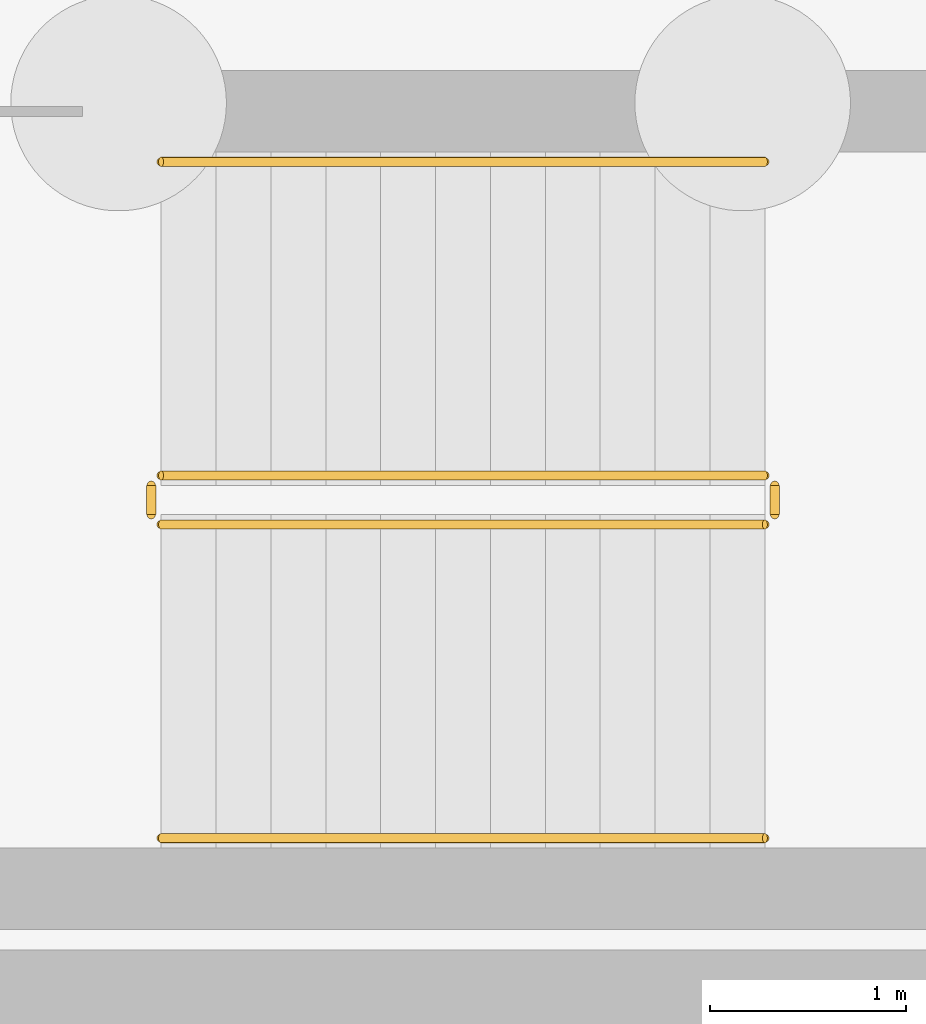
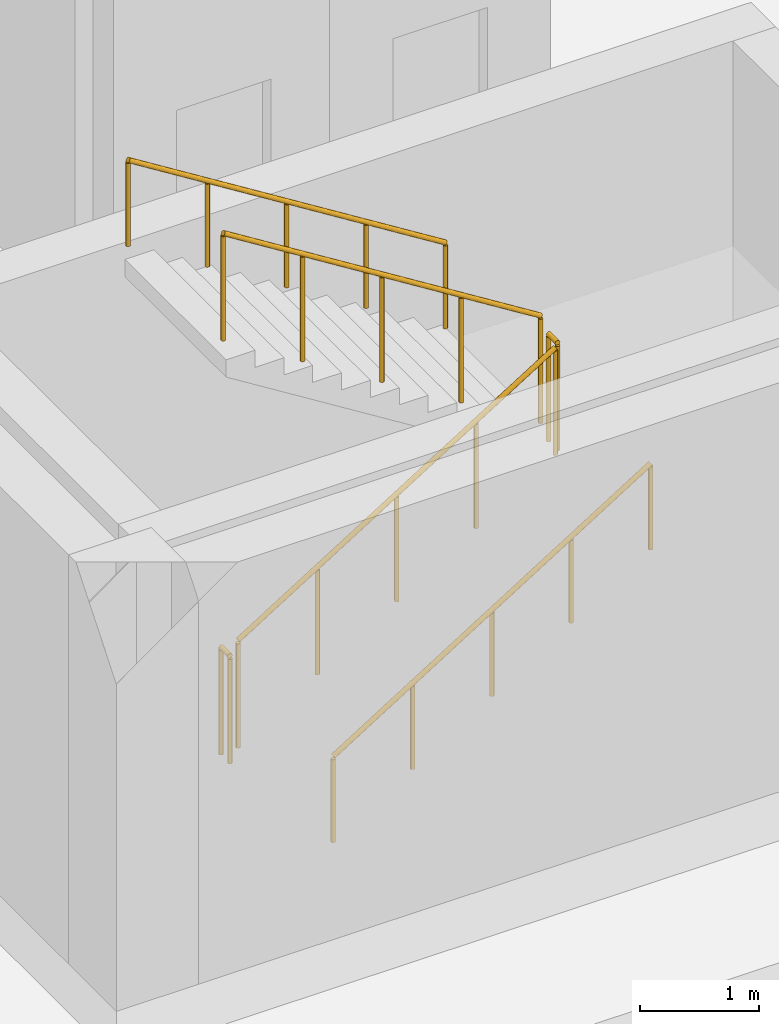
# One storey, part 26 of 31: 6 railings.
"""IFC4 building model written with IfcOpenShell, lengths in metres."""

from ifc_helpers import new_model, si_unit, direction, frame, origin, origin_2d, place, context, subcontext, project, spatial, circle, extrude, material, type_object, element, save


model = new_model("IFC4")

# Units and contexts
model_context = context("Model", 3, precision=1e-05, world=origin(), true_north=direction((0.0, 1.0)))
body_context = subcontext(model_context, "Body", "Model", "MODEL_VIEW")
ifc_project = project(units=[si_unit("LENGTHUNIT", "METRE"), si_unit("AREAUNIT", "SQUARE_METRE"), si_unit("VOLUMEUNIT", "CUBIC_METRE"), si_unit("PLANEANGLEUNIT", "RADIAN"), si_unit("MASSUNIT", "GRAM", prefix="KILO")], contexts=[model_context])

# Site, building, storey
site_placement = place(None, origin())
site = spatial("IfcSite", under=ifc_project, at=site_placement, CompositionType="ELEMENT")
building_placement = place(site_placement, origin())
building = spatial("IfcBuilding", under=site, at=building_placement, Name="Qalavern Law Courts", CompositionType="ELEMENT")
storey_placement = place(building_placement, frame((0.0, 0.0, -8.39990234375)))
storey = spatial("IfcBuildingStorey", under=building, at=storey_placement, Name="B2", CompositionType="ELEMENT", Elevation=-8.39990234375)

# Railings
ifc_material = material(Name="Steel S355", Category="steel")
railing_type_1 = type_object("IfcRailingType", Name="INT-GUARD-1120", PredefinedType="BALUSTRADE", material=ifc_material)
railing_1_placement = place(storey_placement, frame((4.699951171875, 43.64990234375, 0.1748046875)))
element("IfcRailing", 1, at=railing_1_placement, inside=storey, type_object=railing_type_1, Name="B2 ST-K2 stair guard 1", PredefinedType="BALUSTRADE", context=body_context, shape_type="SweptSolid", body=[
    extrude(circle(Radius=0.02392578125, at=origin_2d()), frame((0.0, 0.0, 1.09619140625), z_axis=(0.847998304005, 0.0, 0.529998940003), x_axis=(0.0, 1.0, 0.0)), (0.0, 0.0, 1.0), 3.632080078125),
    extrude(circle(Radius=0.02099609375, at=origin_2d()), origin(), (0.0, 0.0, 1.0), 1.072021484375),
    extrude(circle(Radius=0.02099609375, at=origin_2d()), frame((0.77001953125, 0.0, 0.481201171875)), (0.0, 0.0, 1.0), 1.072021484375),
    extrude(circle(Radius=0.02099609375, at=origin_2d()), frame((1.5400390625, 0.0, 0.96240234375)), (0.0, 0.0, 1.0), 1.072021484375),
    extrude(circle(Radius=0.02099609375, at=origin_2d()), frame((2.31005859375, 0.0, 1.44384765625)), (0.0, 0.0, 1.0), 1.072021484375),
    extrude(circle(Radius=0.02099609375, at=origin_2d()), frame((3.080078125, 0.0, 1.925048828125)), (0.0, 0.0, 1.0), 1.072021484375),
])
railing_2_placement = place(storey_placement, frame((7.830078125, 43.699951171875, 2.099853515625)))
element("IfcRailing", 2, at=railing_2_placement, inside=storey, type_object=railing_type_1, Name="B2 ST-K2 stair guard 2", PredefinedType="BALUSTRADE", context=body_context, shape_type="SweptSolid", body=[
    extrude(circle(Radius=0.02392578125, at=origin_2d()), frame((0.0, 0.0, 1.09619140625), z_axis=(0.0, 1.0, 0.0), x_axis=(-1.0, 0.0, 0.0)), (0.0, 0.0, 1.0), 0.150146484375),
    extrude(circle(Radius=0.02099609375, at=origin_2d()), origin(), (0.0, 0.0, 1.0), 1.072021484375),
    extrude(circle(Radius=0.02099609375, at=origin_2d()), frame((0.0, 0.150146484375, 0.0)), (0.0, 0.0, 1.0), 1.072021484375),
])
railing_3_placement = place(storey_placement, frame((7.780029296875, 43.89990234375, 2.27490234375)))
element("IfcRailing", 3, at=railing_3_placement, inside=storey, type_object=railing_type_1, Name="B2 ST-K2 stair guard 3", PredefinedType="BALUSTRADE", context=body_context, shape_type="SweptSolid", body=[
    extrude(circle(Radius=0.02392578125, at=origin_2d()), frame((0.0, 0.0, 1.09619140625), z_axis=(-0.847998304005, 0.0, 0.529998940003), x_axis=(0.0, -1.0, 0.0)), (0.0, 0.0, 1.0), 3.632080078125),
    extrude(circle(Radius=0.02099609375, at=origin_2d()), origin(), (0.0, 0.0, 1.0), 1.072021484375),
    extrude(circle(Radius=0.02099609375, at=origin_2d()), frame((-0.77001953125, 0.0, 0.481201171875)), (0.0, 0.0, 1.0), 1.072021484375),
    extrude(circle(Radius=0.02099609375, at=origin_2d()), frame((-1.5400390625, 0.0, 0.96240234375)), (0.0, 0.0, 1.0), 1.072021484375),
    extrude(circle(Radius=0.02099609375, at=origin_2d()), frame((-2.31005859375, 0.0, 1.44384765625)), (0.0, 0.0, 1.0), 1.072021484375),
    extrude(circle(Radius=0.02099609375, at=origin_2d()), frame((-3.080078125, 0.0, 1.925048828125)), (0.0, 0.0, 1.0), 1.072021484375),
])
railing_4_placement = place(storey_placement, frame((4.64990234375, 43.699951171875, 0.0)))
element("IfcRailing", 4, at=railing_4_placement, inside=storey, type_object=railing_type_1, Name="B2 ST-K2 stair guard 4", PredefinedType="BALUSTRADE", context=body_context, shape_type="SweptSolid", body=[
    extrude(circle(Radius=0.02392578125, at=origin_2d()), frame((0.0, 0.0, 1.09619140625), z_axis=(0.0, 1.0, 0.0), x_axis=(-1.0, 0.0, 0.0)), (0.0, 0.0, 1.0), 0.150146484375),
    extrude(circle(Radius=0.02099609375, at=origin_2d()), origin(), (0.0, 0.0, 1.0), 1.072021484375),
    extrude(circle(Radius=0.02099609375, at=origin_2d()), frame((0.0, 0.150146484375, 0.0)), (0.0, 0.0, 1.0), 1.072021484375),
])
railing_type_2 = type_object("IfcRailingType", Name="INT-HRAIL-920", PredefinedType="HANDRAIL", material=ifc_material)
railing_5_placement = place(storey_placement, frame((4.699951171875, 42.050048828125, 0.1748046875)))
element("IfcRailing", 5, at=railing_5_placement, inside=storey, type_object=railing_type_2, Name="B2 ST-K2 stair handrail 1", PredefinedType="HANDRAIL", context=body_context, shape_type="SweptSolid", body=[
    extrude(circle(Radius=0.02392578125, at=origin_2d()), frame((0.0, 0.0, 0.8759765625), z_axis=(0.847998304005, 0.0, 0.529998940003), x_axis=(0.0, 1.0, 0.0)), (0.0, 0.0, 1.0), 3.632080078125),
    extrude(circle(Radius=0.02099609375, at=origin_2d()), origin(), (0.0, 0.0, 1.0), 0.851806640625),
    extrude(circle(Radius=0.02099609375, at=origin_2d()), frame((0.77001953125, 0.0, 0.481201171875)), (0.0, 0.0, 1.0), 0.851806640625),
    extrude(circle(Radius=0.02099609375, at=origin_2d()), frame((1.5400390625, 0.0, 0.96240234375)), (0.0, 0.0, 1.0), 0.851806640625),
    extrude(circle(Radius=0.02099609375, at=origin_2d()), frame((2.31005859375, 0.0, 1.44384765625)), (0.0, 0.0, 1.0), 0.851806640625),
    extrude(circle(Radius=0.02099609375, at=origin_2d()), frame((3.080078125, 0.0, 1.925048828125)), (0.0, 0.0, 1.0), 0.851806640625),
])
railing_6_placement = place(storey_placement, frame((7.780029296875, 45.5, 2.27490234375)))
element("IfcRailing", 6, at=railing_6_placement, inside=storey, type_object=railing_type_2, Name="B2 ST-K2 stair handrail 2", PredefinedType="HANDRAIL", context=body_context, shape_type="SweptSolid", body=[
    extrude(circle(Radius=0.02392578125, at=origin_2d()), frame((0.0, 0.0, 0.8759765625), z_axis=(-0.847998304005, 0.0, 0.529998940003), x_axis=(0.0, -1.0, 0.0)), (0.0, 0.0, 1.0), 3.632080078125),
    extrude(circle(Radius=0.02099609375, at=origin_2d()), origin(), (0.0, 0.0, 1.0), 0.851806640625),
    extrude(circle(Radius=0.02099609375, at=origin_2d()), frame((-0.77001953125, 0.0, 0.481201171875)), (0.0, 0.0, 1.0), 0.851806640625),
    extrude(circle(Radius=0.02099609375, at=origin_2d()), frame((-1.5400390625, 0.0, 0.96240234375)), (0.0, 0.0, 1.0), 0.851806640625),
    extrude(circle(Radius=0.02099609375, at=origin_2d()), frame((-2.31005859375, 0.0, 1.44384765625)), (0.0, 0.0, 1.0), 0.851806640625),
    extrude(circle(Radius=0.02099609375, at=origin_2d()), frame((-3.080078125, 0.0, 1.925048828125)), (0.0, 0.0, 1.0), 0.851806640625),
])

save(model, "model.ifc")
